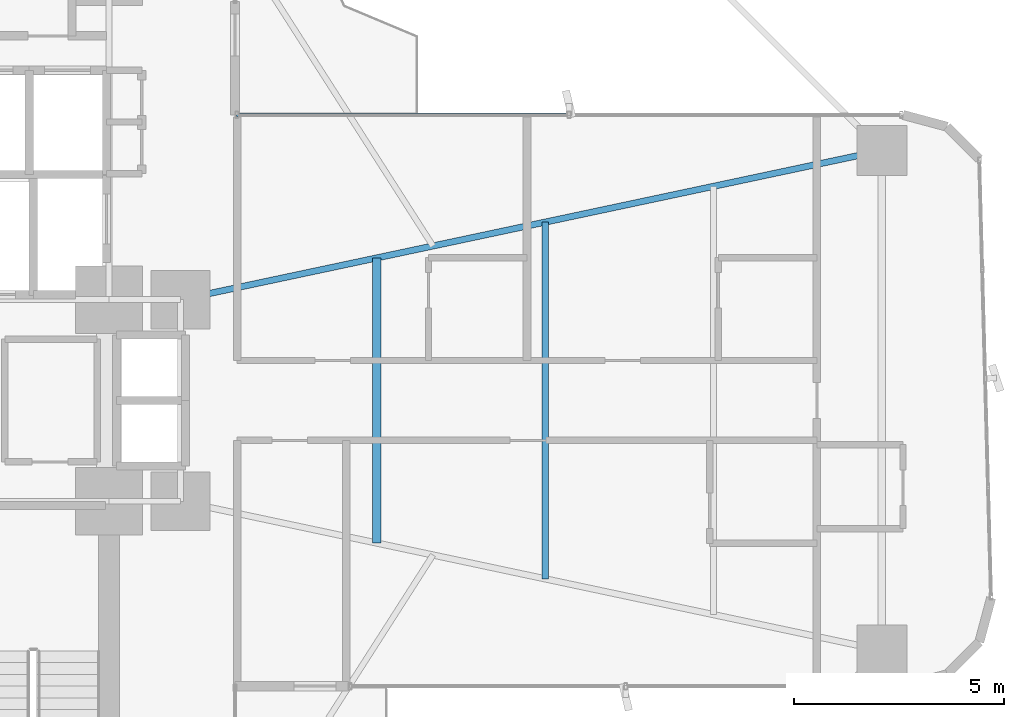
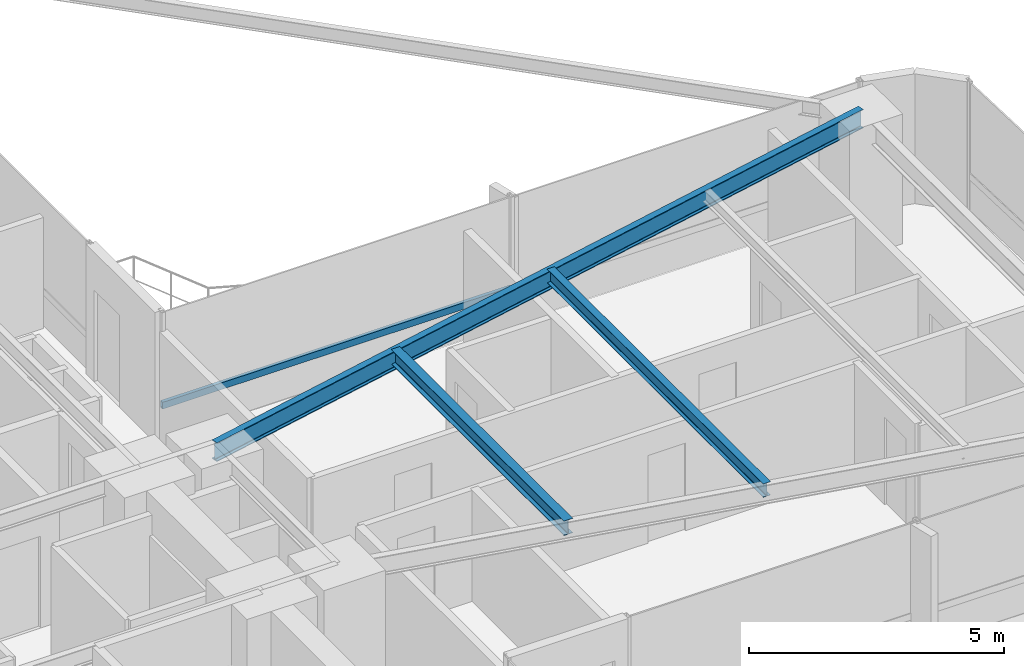
# One storey, part 15 of 25: 3 beams, 1 member, 1 element without a shape of its own.
"""IFC4 building model written with IfcOpenShell, lengths in metres."""

from ifc_helpers import new_model, si_unit, direction, frame, origin, origin_2d, place, context, subcontext, project, spatial, hollow_rectangle, i_section, extrude, source, transform, mapped, material, material_profile, profile_set, type_object, element, aggregate, save


model = new_model("IFC4")

# Units and contexts
model_context = context("Model", 3, precision=1e-05, world=origin(), true_north=direction((0.0, 1.0)))
body_context = subcontext(model_context, "Body", "Model", "MODEL_VIEW")
ifc_project = project(units=[si_unit("LENGTHUNIT", "METRE"), si_unit("AREAUNIT", "SQUARE_METRE"), si_unit("VOLUMEUNIT", "CUBIC_METRE"), si_unit("PLANEANGLEUNIT", "RADIAN"), si_unit("MASSUNIT", "GRAM", prefix="KILO")], contexts=[model_context])

# Site, building, storey
site_placement = place(None, origin())
site = spatial("IfcSite", under=ifc_project, at=site_placement, CompositionType="ELEMENT")
building_placement = place(site_placement, origin())
building = spatial("IfcBuilding", under=site, at=building_placement, Name="Sahyath Konkavel Grand Hotel", CompositionType="ELEMENT")
storey_placement = place(building_placement, frame((0.0, 0.0, 33.14990234375)))
storey = spatial("IfcBuildingStorey", under=building, at=storey_placement, Name="L08", CompositionType="ELEMENT", Elevation=33.14990234375)

# Beams
ifc_material_1 = material(Name="Steel E350", Category="steel")
ifc_material_profile_1 = material_profile(ifc_material_1, i_section(OverallWidth=0.14990234375, OverallDepth=0.449951171875, WebThickness=0.009521484375, FlangeThickness=0.017333984375, FilletRadius=0.014892578125, at=origin_2d()), Name="ISMB 450")
ifc_profile_set_1 = profile_set([ifc_material_profile_1], Name="Steel E350")
beam_type_1 = type_object("IfcBeamType", Name="BM-ISMB450", PredefinedType="BEAM", material=ifc_profile_set_1)
shared_shape_1 = source(origin(), body_context, "Body", "SweptSolid", [
    extrude(i_section(OverallWidth=0.14990234375, OverallDepth=0.449951171875, WebThickness=0.009521484375, FlangeThickness=0.017333984375, FilletRadius=0.014892578125, at=origin_2d()), origin(), (0.0, 0.0, 1.0), 17.072998046875),
])
beam_1_placement = place(storey_placement, frame((5.5, 2.39990234375, 2.885009765625), z_axis=(0.978143257225, 0.20793212437, 0.0), x_axis=(-0.20793212437, 0.978143257225, 0.0)))
element("IfcBeam", 1, at=beam_1_placement, inside=storey, type_object=beam_type_1, Name="L08 Cruciform Radial Girder EB", PredefinedType="BEAM", context=body_context, shape_type="MappedRepresentation", body=[
    mapped(shared_shape_1, transform((0.0, 0.0, 0.0), scale=1.0)),
])
ifc_material_profile_2 = material_profile(ifc_material_1, i_section(OverallWidth=0.199951171875, OverallDepth=0.35009765625, WebThickness=0.008056640625, FlangeThickness=0.011474609375, FilletRadius=0.013916015625, at=origin_2d()), Name="ISWB 350")
ifc_profile_set_2 = profile_set([ifc_material_profile_2], Name="Steel E350")
beam_type_2 = type_object("IfcBeamType", Name="BM-ISWB350", PredefinedType="BEAM", material=ifc_profile_set_2)
shared_shape_2 = source(origin(), body_context, "Body", "SweptSolid", [
    extrude(i_section(OverallWidth=0.199951171875, OverallDepth=0.35009765625, WebThickness=0.008056640625, FlangeThickness=0.011474609375, FilletRadius=0.013916015625, at=origin_2d()), origin(), (0.0, 0.0, 1.0), 6.7880859375),
])
beam_2_placement = place(storey_placement, frame((10.176025390625, -3.39404296875, 2.93505859375), z_axis=(0.0, 1.0, 0.0), x_axis=(-1.0, 0.0, 0.0)))
element("IfcBeam", 2, at=beam_2_placement, inside=storey, type_object=beam_type_2, Name="L08 Secondary Floor Beam E-1", PredefinedType="BEAM", context=body_context, shape_type="MappedRepresentation", body=[
    mapped(shared_shape_2, transform((0.0, 0.0, 0.0), scale=1.0)),
])
ifc_material_profile_3 = material_profile(ifc_material_1, i_section(OverallWidth=0.1650390625, OverallDepth=0.324951171875, WebThickness=0.007080078125, FlangeThickness=0.009765625, FilletRadius=0.014892578125, at=origin_2d()), Name="ISLB 325")
ifc_profile_set_3 = profile_set([ifc_material_profile_3], Name="Steel E350")
beam_type_3 = type_object("IfcBeamType", Name="BM-ISLB325", PredefinedType="BEAM", material=ifc_profile_set_3)
shared_shape_3 = source(origin(), body_context, "Body", "SweptSolid", [
    extrude(i_section(OverallWidth=0.1650390625, OverallDepth=0.324951171875, WebThickness=0.007080078125, FlangeThickness=0.009765625, FilletRadius=0.014892578125, at=origin_2d()), origin(), (0.0, 0.0, 1.0), 8.4921875),
])
beam_3_placement = place(storey_placement, frame((14.18408203125, -4.24609375, 2.947509765625), z_axis=(0.0, 1.0, 0.0), x_axis=(-1.0, 0.0, 0.0)))
element("IfcBeam", 3, at=beam_3_placement, inside=storey, type_object=beam_type_3, Name="L08 Secondary Floor Beam E-2", PredefinedType="BEAM", context=body_context, shape_type="MappedRepresentation", body=[
    mapped(shared_shape_3, transform((0.0, 0.0, 0.0), scale=1.0)),
])

# Curtain wall, member
ifc_material_2 = material(Name="Anodised Bronze Aluminium & Low-E Glazing", Category="aluminium")
curtain_wall_type = type_object("IfcCurtainWallType", Name="CW-ZONE1", PredefinedType="NOTDEFINED", material=ifc_material_2)
curtain_wall_placement = place(storey_placement, origin())
curtain_wall = element("IfcCurtainWall", 4, at=curtain_wall_placement, inside=storey, type_object=curtain_wall_type, Name="L08 Unitised Curtain Wall F7", PredefinedType="NOTDEFINED")
ifc_material_3 = material(Name="Anodised Bronze Aluminium", Category="aluminium")
ifc_material_profile_4 = material_profile(ifc_material_3, hollow_rectangle(XDim=0.080078125, YDim=0.159912109375, WallThickness=0.006103515625, at=origin_2d()), Name="RHS 160x80x6")
ifc_profile_set_4 = profile_set([ifc_material_profile_4], Name="Anodised Bronze Aluminium")
member_type = type_object("IfcMemberType", Name="CW-TRN-160", PredefinedType="USERDEFINED", material=ifc_profile_set_4)
shared_shape_4 = source(origin(), body_context, "Body", "SweptSolid", [
    extrude(hollow_rectangle(XDim=0.080078125, YDim=0.159912109375, WallThickness=0.006103515625, at=origin_2d()), origin(), (0.0, 0.0, 1.0), 7.909912109375),
])
member_placement = place(storey_placement, frame((14.75, 6.800048828125, 0.85009765625), z_axis=(-1.0, 0.0, 0.0), x_axis=(0.0, -1.0, 0.0)))
member = element("IfcMember", 5, at=member_placement, type_object=member_type, Name="L08 Curtain Wall Transom F7-1-spandrel", ObjectType="TRANSOM", PredefinedType="USERDEFINED", context=body_context, shape_type="MappedRepresentation", body=[
    mapped(shared_shape_4, transform((0.0, 0.0, 0.0), scale=1.0)),
])
aggregate(curtain_wall, [member])

save(model, "model.ifc")
